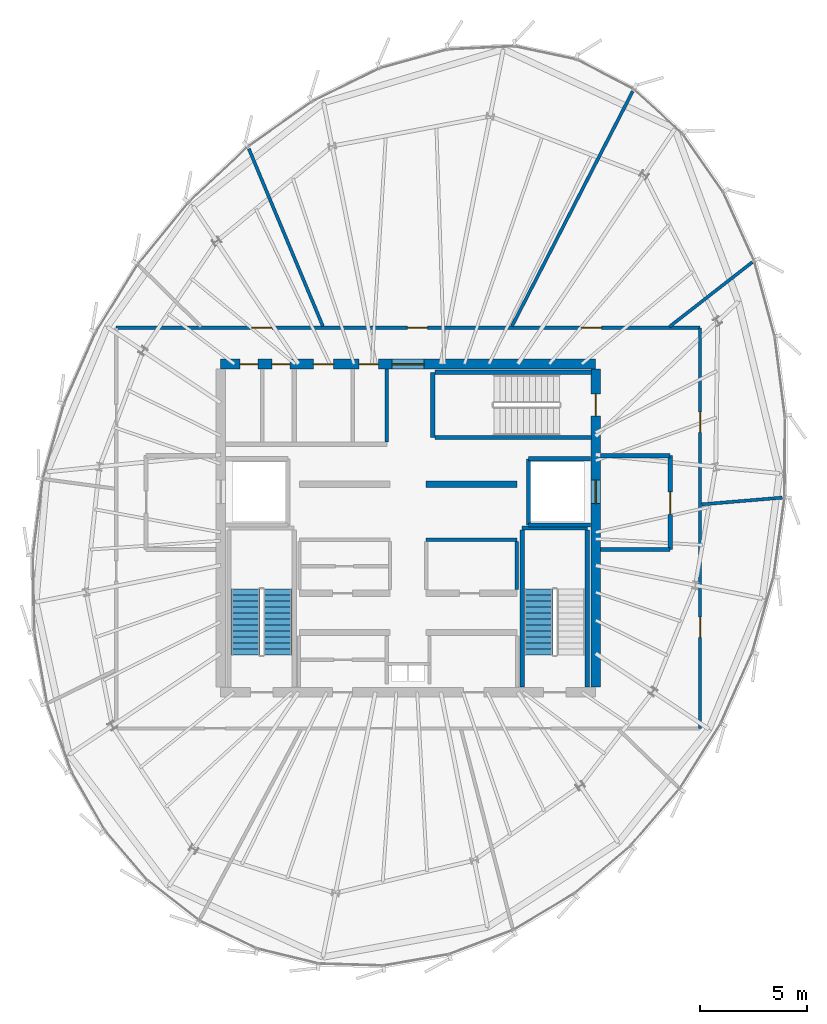
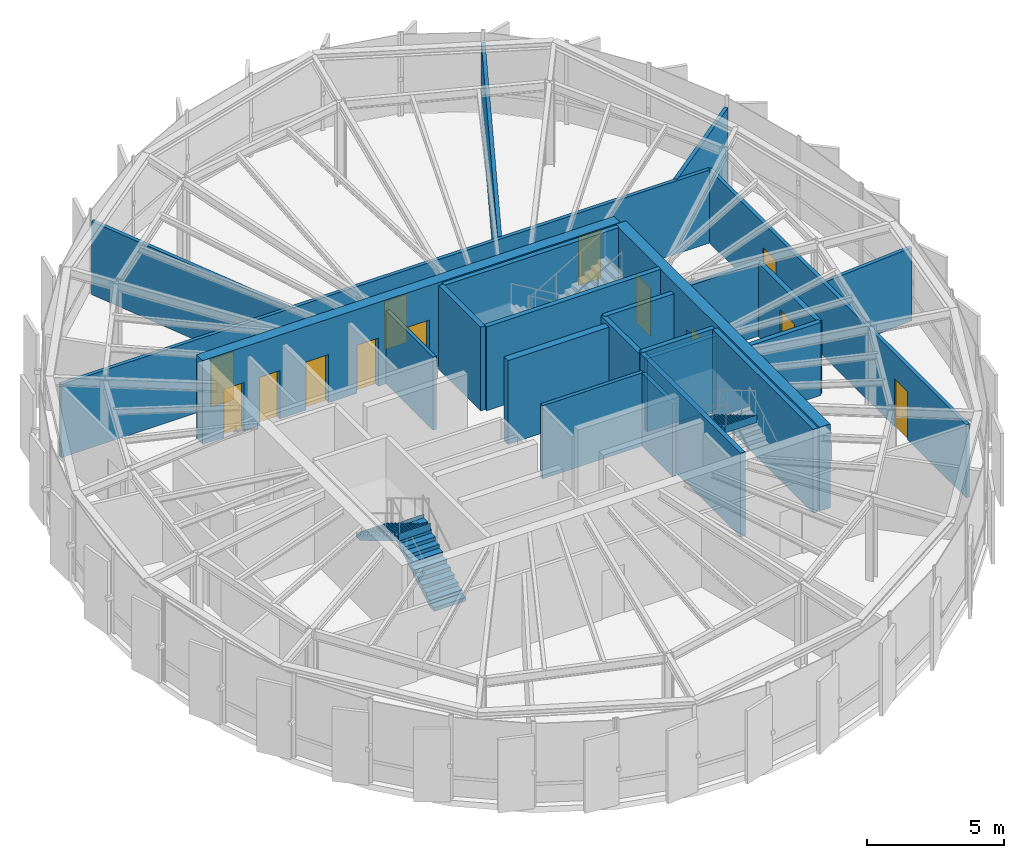
# One storey, part 22 of 26: 24 walls, 13 doors, 3 stair flights, 13 openings, 2 elements without a shape of their own.
"""IFC4 building model written with IfcOpenShell, lengths in metres."""

from ifc_helpers import new_model, si_unit, direction, frame, frame_2d, origin, place, context, subcontext, project, spatial, polyline, rectangle, outline, extrude, source, transform, mapped, material, layer, layer_set, type_object, element, fill, aggregate, save


model = new_model("IFC4")

# Units and contexts
model_context = context("Model", 3, precision=1e-05, world=origin(), true_north=direction((0.0, 1.0)))
body_context = subcontext(model_context, "Body", "Model", "MODEL_VIEW")
ifc_project = project(units=[si_unit("LENGTHUNIT", "METRE"), si_unit("AREAUNIT", "SQUARE_METRE"), si_unit("VOLUMEUNIT", "CUBIC_METRE"), si_unit("PLANEANGLEUNIT", "RADIAN"), si_unit("MASSUNIT", "GRAM", prefix="KILO"), si_unit("THERMODYNAMICTEMPERATUREUNIT", "KELVIN")], contexts=[model_context])

# Site, building, storey
site_placement = place(None, origin())
site = spatial("IfcSite", under=ifc_project, at=site_placement, CompositionType="ELEMENT")
building_placement = place(site_placement, origin())
building = spatial("IfcBuilding", under=site, at=building_placement, Name="Kethvar Cultural Tower", CompositionType="ELEMENT")
storey_placement = place(building_placement, frame((0.0, 0.0, 316.300048828125)))
storey = spatial("IfcBuildingStorey", under=building, at=storey_placement, Name="L84", CompositionType="ELEMENT", Elevation=316.300048828125)

# Wall, openings, doors
ifc_material_1 = material(Name="Concrete C50/60", Category="concrete")
ifc_layer_1 = layer(ifc_material_1, 0.449951171875, Name="Concrete C50/60", Category="concrete")
ifc_layer_set_1 = layer_set([ifc_layer_1], Name="Concrete C50/60 (450 mm)")
wall_type_1 = type_object("IfcWallType", Name="WL-CORE-450", PredefinedType="SHEAR", material=ifc_layer_set_1)
wall_1_placement = place(storey_placement, frame((55.60009765625, 35.5, 0.0), z_axis=(0.0, 0.0, 1.0), x_axis=(-1.0, 0.0, 0.0)))
wall_1 = element("IfcWall", 1, at=wall_1_placement, inside=storey, type_object=wall_type_1, Name="L84 Core Shear Wall N", PredefinedType="SHEAR", context=body_context, shape_type="SweptSolid", body=[
    extrude(rectangle(XDim=17.60009765625, YDim=0.449951171875, at=frame_2d((8.800048828125, 0.0))), origin(), (0.0, 0.0, 1.0), 3.73486328125),
])
opening_1_placement = place(wall_1_placement, frame((8.050048828125, 0.0, 0.0)))
opening_1 = element("IfcOpeningElement", 2, at=opening_1_placement, cuts=wall_1, Name="Opening D-L84-LN", PredefinedType="OPENING", context=body_context, shape_type="SweptSolid", body=[
    extrude(rectangle(XDim=1.5, YDim=2.199951171875, at=frame_2d((0.75, 1.10009765625))), frame((0.0, 0.23486328125, 0.0), z_axis=(0.0, -1.0, 0.0), x_axis=(1.0, 0.0, 0.0)), (0.0, 0.0, 1.0), 0.469970703125),
])
opening_2_placement = place(wall_1_placement, frame((15.85009765625, 0.0, 0.0)))
opening_2 = element("IfcOpeningElement", 3, at=opening_2_placement, cuts=wall_1, Name="Opening D-L84-E1", PredefinedType="OPENING", context=body_context, shape_type="SweptSolid", body=[
    extrude(rectangle(XDim=0.85009765625, YDim=2.14990234375, at=frame_2d((0.425048828125, 1.074951171875))), frame((0.0, 0.23486328125, 0.0), z_axis=(0.0, -1.0, 0.0), x_axis=(1.0, 0.0, 0.0)), (0.0, 0.0, 1.0), 0.469970703125),
])
opening_3_placement = place(wall_1_placement, frame((14.35009765625, 0.0, 0.0)))
opening_3 = element("IfcOpeningElement", 4, at=opening_3_placement, cuts=wall_1, Name="Opening D-L84-E2", PredefinedType="OPENING", context=body_context, shape_type="SweptSolid", body=[
    extrude(rectangle(XDim=0.85009765625, YDim=2.14990234375, at=frame_2d((0.425048828125, 1.074951171875))), frame((0.0, 0.23486328125, 0.0), z_axis=(0.0, -1.0, 0.0), x_axis=(1.0, 0.0, 0.0)), (0.0, 0.0, 1.0), 0.469970703125),
])
opening_4_placement = place(wall_1_placement, frame((12.300048828125, 0.0, 0.0)))
opening_4 = element("IfcOpeningElement", 5, at=opening_4_placement, cuts=wall_1, Name="Opening D-L84-W1", PredefinedType="OPENING", context=body_context, shape_type="SweptSolid", body=[
    extrude(rectangle(XDim=0.949951171875, YDim=2.14990234375, at=frame_2d((0.47509765625, 1.074951171875))), frame((0.0, 0.23486328125, 0.0), z_axis=(0.0, -1.0, 0.0), x_axis=(1.0, 0.0, 0.0)), (0.0, 0.0, 1.0), 0.469970703125),
])
opening_5_placement = place(wall_1_placement, frame((10.199951171875, 0.0, 0.0)))
opening_5 = element("IfcOpeningElement", 6, at=opening_5_placement, cuts=wall_1, Name="Opening D-L84-W2", PredefinedType="OPENING", context=body_context, shape_type="SweptSolid", body=[
    extrude(rectangle(XDim=0.89990234375, YDim=2.14990234375, at=frame_2d((0.449951171875, 1.074951171875))), frame((0.0, 0.23486328125, 0.0), z_axis=(0.0, -1.0, 0.0), x_axis=(1.0, 0.0, 0.0)), (0.0, 0.0, 1.0), 0.469970703125),
])
ifc_material_2 = material(Name="Architectural Oak Timber", Category="wood")
door_type_1 = type_object("IfcDoorType", Name="DR-DBL-FD60-1500", OperationType="DOUBLE_DOOR_SINGLE_SWING", PredefinedType="DOOR", material=ifc_material_2)
shared_shape_1 = source(origin(), body_context, "Body", "SweptSolid", [
    extrude(rectangle(XDim=1.5, YDim=2.199951171875, at=frame_2d((0.75, 1.10009765625))), frame((0.0, 0.02490234375, 0.0), z_axis=(0.0, -1.0, 0.0), x_axis=(1.0, 0.0, 0.0)), (0.0, 0.0, 1.0), 0.050048828125),
])
door_1_placement = place(opening_1_placement, origin())
door_1 = element("IfcDoor", 7, at=door_1_placement, inside=storey, type_object=door_type_1, Name="L84 Lift Lobby Concourse Door", OperationType="DOUBLE_DOOR_SINGLE_SWING", OverallHeight=2.199951171875, OverallWidth=1.5, PredefinedType="DOOR", context=body_context, shape_type="MappedRepresentation", body=[
    mapped(shared_shape_1, transform((0.0, 0.0, 0.0), scale=1.0)),
])
fill(opening_1, door_1)
door_type_2 = type_object("IfcDoorType", Name="DR-FD30-950", OperationType="NOTDEFINED", PredefinedType="DOOR", material=ifc_material_2)
shared_shape_2 = source(origin(), body_context, "Body", "SweptSolid", [
    extrude(rectangle(XDim=0.949951171875, YDim=2.14990234375, at=frame_2d((0.47509765625, 1.074951171875))), frame((0.0, 0.02490234375, 0.0), z_axis=(0.0, -1.0, 0.0), x_axis=(1.0, 0.0, 0.0)), (0.0, 0.0, 1.0), 0.050048828125),
])
door_2_placement = place(opening_4_placement, origin())
door_2 = element("IfcDoor", 8, at=door_2_placement, inside=storey, type_object=door_type_2, Name="L84 Public Washroom Door", OperationType="SINGLE_SWING_LEFT", OverallHeight=2.14990234375, OverallWidth=0.949951171875, PredefinedType="DOOR", context=body_context, shape_type="MappedRepresentation", body=[
    mapped(shared_shape_2, transform((0.0, 0.0, 0.0), scale=1.0)),
])
fill(opening_4, door_2)
door_type_3 = type_object("IfcDoorType", Name="DR-FD30-900", OperationType="NOTDEFINED", PredefinedType="DOOR", material=ifc_material_2)
shared_shape_3 = source(origin(), body_context, "Body", "SweptSolid", [
    extrude(rectangle(XDim=0.89990234375, YDim=2.14990234375, at=frame_2d((0.449951171875, 1.074951171875))), frame((0.0, 0.02490234375, 0.0), z_axis=(0.0, -1.0, 0.0), x_axis=(1.0, 0.0, 0.0)), (0.0, 0.0, 1.0), 0.050048828125),
])
door_3_placement = place(opening_5_placement, origin())
door_3 = element("IfcDoor", 9, at=door_3_placement, inside=storey, type_object=door_type_3, Name="L84 Accessible Washroom Door", OperationType="SINGLE_SWING_RIGHT", OverallHeight=2.14990234375, OverallWidth=0.89990234375, PredefinedType="DOOR", context=body_context, shape_type="MappedRepresentation", body=[
    mapped(shared_shape_3, transform((0.0, 0.0, 0.0), scale=1.0)),
])
fill(opening_5, door_3)
ifc_material_3 = material(Name="Steel S355J2", Category="steel")
door_type_4 = type_object("IfcDoorType", Name="DR-FD30-850", OperationType="NOTDEFINED", PredefinedType="DOOR", material=ifc_material_3)
shared_shape_4 = source(origin(), body_context, "Body", "SweptSolid", [
    extrude(rectangle(XDim=0.85009765625, YDim=2.14990234375, at=frame_2d((0.425048828125, 1.074951171875))), frame((0.0, 0.02490234375, 0.0), z_axis=(0.0, -1.0, 0.0), x_axis=(1.0, 0.0, 0.0)), (0.0, 0.0, 1.0), 0.050048828125),
])
door_4_placement = place(opening_2_placement, origin())
door_4 = element("IfcDoor", 10, at=door_4_placement, inside=storey, type_object=door_type_4, Name="L84 Electrical Riser Door", OperationType="SINGLE_SWING_LEFT", OverallHeight=2.14990234375, OverallWidth=0.85009765625, PredefinedType="DOOR", context=body_context, shape_type="MappedRepresentation", body=[
    mapped(shared_shape_4, transform((0.0, 0.0, 0.0), scale=1.0)),
])
fill(opening_2, door_4)
door_5_placement = place(opening_3_placement, origin())
door_5 = element("IfcDoor", 11, at=door_5_placement, inside=storey, type_object=door_type_4, Name="L84 Chilled Water Riser Door", OperationType="SINGLE_SWING_RIGHT", OverallHeight=2.14990234375, OverallWidth=0.85009765625, PredefinedType="DOOR", context=body_context, shape_type="MappedRepresentation", body=[
    mapped(shared_shape_4, transform((0.0, 0.0, 0.0), scale=1.0)),
])
fill(opening_3, door_5)

wall_2_placement = place(storey_placement, frame((55.60009765625, 20.340087890625, 0.0), z_axis=(0.0, 0.0, 1.0), x_axis=(0.0, 1.0, 0.0)))
wall_2 = element("IfcWall", 12, at=wall_2_placement, inside=storey, type_object=wall_type_1, Name="L84 Core Shear Wall E", PredefinedType="SHEAR", context=body_context, shape_type="SweptSolid", body=[
    extrude(rectangle(XDim=14.919921875, YDim=0.449951171875, at=frame_2d((7.4599609375, 0.0))), origin(), (0.0, 0.0, 1.0), 3.73486328125),
])
opening_6_placement = place(wall_2_placement, frame((12.7099609375, 0.0, 0.0)))
opening_6 = element("IfcOpeningElement", 13, at=opening_6_placement, cuts=wall_2, Name="Opening D-L84-S3", PredefinedType="OPENING", context=body_context, shape_type="SweptSolid", body=[
    extrude(rectangle(XDim=1.050048828125, YDim=2.14990234375, at=frame_2d((0.52490234375, 1.074951171875))), frame((0.0, 0.23486328125, 0.0), z_axis=(0.0, -1.0, 0.0), x_axis=(1.0, 0.0, 0.0)), (0.0, 0.0, 1.0), 0.469970703125),
])
opening_7_placement = place(wall_2_placement, frame((8.610107421875, 0.0, 0.0)))
opening_7 = element("IfcOpeningElement", 14, at=opening_7_placement, cuts=wall_2, Name="Opening LD-2", PredefinedType="OPENING", context=body_context, shape_type="SweptSolid", body=[
    extrude(rectangle(XDim=1.10009765625, YDim=2.199951171875, at=frame_2d((0.550048828125, 1.10009765625))), frame((0.0, 0.23486328125, 0.0), z_axis=(0.0, -1.0, 0.0), x_axis=(1.0, 0.0, 0.0)), (0.0, 0.0, 1.0), 0.469970703125),
])
door_type_5 = type_object("IfcDoorType", Name="DR-FD60-1050", OperationType="NOTDEFINED", PredefinedType="DOOR", material=ifc_material_3)
shared_shape_5 = source(origin(), body_context, "Body", "SweptSolid", [
    extrude(rectangle(XDim=1.050048828125, YDim=2.14990234375, at=frame_2d((0.52490234375, 1.074951171875))), frame((0.0, 0.02490234375, 0.0), z_axis=(0.0, -1.0, 0.0), x_axis=(1.0, 0.0, 0.0)), (0.0, 0.0, 1.0), 0.050048828125),
])
door_6_placement = place(opening_6_placement, origin())
door_6 = element("IfcDoor", 15, at=door_6_placement, inside=storey, type_object=door_type_5, Name="L84 Exit Stair 3 Door", OperationType="SINGLE_SWING_LEFT", OverallHeight=2.14990234375, OverallWidth=1.050048828125, PredefinedType="DOOR", context=body_context, shape_type="MappedRepresentation", body=[
    mapped(shared_shape_5, transform((0.0, 0.0, 0.0), scale=1.0)),
])
fill(opening_6, door_6)
door_type_6 = type_object("IfcDoorType", Name="DR-LIFT-SLIDE-1100", OperationType="NOTDEFINED", PredefinedType="DOOR", material=ifc_material_3)
shared_shape_6 = source(origin(), body_context, "Body", "SweptSolid", [
    extrude(rectangle(XDim=1.10009765625, YDim=2.199951171875, at=frame_2d((0.550048828125, 1.10009765625))), frame((0.0, 0.02490234375, 0.0), z_axis=(0.0, -1.0, 0.0), x_axis=(1.0, 0.0, 0.0)), (0.0, 0.0, 1.0), 0.050048828125),
])
door_7_placement = place(opening_7_placement, origin())
door_7 = element("IfcDoor", 16, at=door_7_placement, inside=storey, type_object=door_type_6, Name="L84 Firefighting Lift Landing Door FFL-02", OperationType="SLIDING_TO_RIGHT", OverallHeight=2.199951171875, OverallWidth=1.10009765625, PredefinedType="DOOR", context=body_context, shape_type="MappedRepresentation", body=[
    mapped(shared_shape_6, transform((0.0, 0.0, 0.0), scale=1.0)),
])
fill(opening_7, door_7)

# Walls
ifc_material_4 = material(Name="Gypsum Fireboard Partition")
ifc_layer_2 = layer(ifc_material_4, 0.14990234375, Name="Gypsum Fireboard Partition")
ifc_layer_set_2 = layer_set([ifc_layer_2], Name="Gypsum Fireboard Partition (150 mm)")
wall_type_2 = type_object("IfcWallType", Name="WL-FIRE-150", PredefinedType="PARTITIONING", material=ifc_layer_set_2)
wall_3_placement = place(storey_placement, frame((47.64990234375, 27.25, 0.0), z_axis=(0.0, 0.0, 1.0), x_axis=(1.0, 0.0, 0.0)))
element("IfcWall", 17, at=wall_3_placement, inside=storey, type_object=wall_type_2, Name="L84 Reclaimed Mid Wall E", PredefinedType="PARTITIONING", context=body_context, shape_type="SweptSolid", body=[
    extrude(rectangle(XDim=4.25, YDim=0.14990234375, at=frame_2d((2.125, 0.0))), origin(), (0.0, 0.0, 1.0), 3.260009765625),
])
wall_4_placement = place(storey_placement, frame((51.89990234375, 24.919921875, 0.0), z_axis=(0.0, 0.0, 1.0), x_axis=(0.0, 1.0, 0.0)))
element("IfcWall", 18, at=wall_4_placement, inside=storey, type_object=wall_type_2, Name="L84 Reclaimed Mid Outer E", PredefinedType="PARTITIONING", context=body_context, shape_type="SweptSolid", body=[
    extrude(rectangle(XDim=2.239990234375, YDim=0.14990234375, at=frame_2d((1.1201171875, 0.0))), origin(), (0.0, 0.0, 1.0), 3.260009765625),
])
wall_5_placement = place(storey_placement, frame((45.800048828125, 31.85009765625, 0.0), z_axis=(0.0, 0.0, 1.0), x_axis=(0.0, 1.0, 0.0)))
element("IfcWall", 19, at=wall_5_placement, inside=storey, type_object=wall_type_2, Name="L84 Sanitary Spine Wall", PredefinedType="PARTITIONING", context=body_context, shape_type="SweptSolid", body=[
    extrude(rectangle(XDim=3.414794921875, YDim=0.14990234375, at=frame_2d((1.70751953125, 0.0))), origin(), (0.0, 0.0, 1.0), 3.260009765625),
])

# Wall, openings, doors
wall_6_placement = place(storey_placement, frame((60.5, 18.39990234375, 0.0), z_axis=(0.0, 0.0, 1.0), x_axis=(0.0, 1.0, 0.0)))
wall_6 = element("IfcWall", 20, at=wall_6_placement, inside=storey, type_object=wall_type_2, Name="L84 Corridor Rated Wall E", PredefinedType="PARTITIONING", context=body_context, shape_type="SweptSolid", body=[
    extrude(rectangle(XDim=18.800048828125, YDim=0.14990234375, at=frame_2d((9.39990234375, 0.0))), origin(), (0.0, 0.0, 1.0), 3.260009765625),
])
opening_8_placement = place(wall_6_placement, frame((4.269287109375, 0.0, 0.0)))
opening_8 = element("IfcOpeningElement", 21, at=opening_8_placement, cuts=wall_6, Name="Opening D-L84-04", PredefinedType="OPENING", context=body_context, shape_type="SweptSolid", body=[
    extrude(rectangle(XDim=0.949951171875, YDim=2.14990234375, at=frame_2d((0.47509765625, 1.074951171875))), frame((0.0, 0.0849609375, 0.0), z_axis=(0.0, -1.0, 0.0), x_axis=(1.0, 0.0, 0.0)), (0.0, 0.0, 1.0), 0.169921875),
])
opening_9_placement = place(wall_6_placement, frame((13.888916015625, 0.0, 0.0)))
opening_9 = element("IfcOpeningElement", 22, at=opening_9_placement, cuts=wall_6, Name="Opening D-L84-05", PredefinedType="OPENING", context=body_context, shape_type="SweptSolid", body=[
    extrude(rectangle(XDim=0.949951171875, YDim=2.14990234375, at=frame_2d((0.47509765625, 1.074951171875))), frame((0.0, 0.0849609375, 0.0), z_axis=(0.0, -1.0, 0.0), x_axis=(1.0, 0.0, 0.0)), (0.0, 0.0, 1.0), 0.169921875),
])
door_8_placement = place(opening_8_placement, origin())
door_8 = element("IfcDoor", 23, at=door_8_placement, inside=storey, type_object=door_type_2, Name="L84 MV Transformer Plant Room 04 Door", OperationType="SINGLE_SWING_RIGHT", OverallHeight=2.14990234375, OverallWidth=0.949951171875, PredefinedType="DOOR", context=body_context, shape_type="MappedRepresentation", body=[
    mapped(shared_shape_2, transform((0.0, 0.0, 0.0), scale=1.0)),
])
fill(opening_8, door_8)
door_9_placement = place(opening_9_placement, origin())
door_9 = element("IfcDoor", 24, at=door_9_placement, inside=storey, type_object=door_type_2, Name="L84 Fire Reserve Tank Plant Room 05 Door", OperationType="SINGLE_SWING_LEFT", OverallHeight=2.14990234375, OverallWidth=0.949951171875, PredefinedType="DOOR", context=body_context, shape_type="MappedRepresentation", body=[
    mapped(shared_shape_2, transform((0.0, 0.0, 0.0), scale=1.0)),
])
fill(opening_9, door_9)

wall_7_placement = place(storey_placement, frame((60.5, 37.199951171875, 0.0), z_axis=(0.0, 0.0, 1.0), x_axis=(-1.0, 0.0, 0.0)))
wall_7 = element("IfcWall", 25, at=wall_7_placement, inside=storey, type_object=wall_type_2, Name="L84 Corridor Rated Wall N", PredefinedType="PARTITIONING", context=body_context, shape_type="SweptSolid", body=[
    extrude(rectangle(XDim=27.39990234375, YDim=0.14990234375, at=frame_2d((13.699951171875, 0.0))), origin(), (0.0, 0.0, 1.0), 3.260009765625),
])
opening_10_placement = place(wall_7_placement, frame((4.619384765625, 0.0, 0.0)))
opening_10 = element("IfcOpeningElement", 26, at=opening_10_placement, cuts=wall_7, Name="Opening D-L84-06", PredefinedType="OPENING", context=body_context, shape_type="SweptSolid", body=[
    extrude(rectangle(XDim=0.949951171875, YDim=2.14990234375, at=frame_2d((0.47509765625, 1.074951171875))), frame((0.0, 0.0849609375, 0.0), z_axis=(0.0, -1.0, 0.0), x_axis=(1.0, 0.0, 0.0)), (0.0, 0.0, 1.0), 0.169921875),
])
opening_11_placement = place(wall_7_placement, frame((12.78857421875, 0.0, 0.0)))
opening_11 = element("IfcOpeningElement", 27, at=opening_11_placement, cuts=wall_7, Name="Opening D-L84-07", PredefinedType="OPENING", context=body_context, shape_type="SweptSolid", body=[
    extrude(rectangle(XDim=0.949951171875, YDim=2.14990234375, at=frame_2d((0.47509765625, 1.074951171875))), frame((0.0, 0.0849609375, 0.0), z_axis=(0.0, -1.0, 0.0), x_axis=(1.0, 0.0, 0.0)), (0.0, 0.0, 1.0), 0.169921875),
])
opening_12_placement = place(wall_7_placement, frame((20.1005859375, 0.0, 0.0)))
opening_12 = element("IfcOpeningElement", 28, at=opening_12_placement, cuts=wall_7, Name="Opening D-L84-08", PredefinedType="OPENING", context=body_context, shape_type="SweptSolid", body=[
    extrude(rectangle(XDim=0.949951171875, YDim=2.14990234375, at=frame_2d((0.47509765625, 1.074951171875))), frame((0.0, 0.0849609375, 0.0), z_axis=(0.0, -1.0, 0.0), x_axis=(1.0, 0.0, 0.0)), (0.0, 0.0, 1.0), 0.169921875),
])
door_10_placement = place(opening_10_placement, origin())
door_10 = element("IfcDoor", 29, at=door_10_placement, inside=storey, type_object=door_type_2, Name="L84 Facade BMU Mechanical Plant Room 06 Door", OperationType="SINGLE_SWING_RIGHT", OverallHeight=2.14990234375, OverallWidth=0.949951171875, PredefinedType="DOOR", context=body_context, shape_type="MappedRepresentation", body=[
    mapped(shared_shape_2, transform((0.0, 0.0, 0.0), scale=1.0)),
])
fill(opening_10, door_10)
door_11_placement = place(opening_11_placement, origin())
door_11 = element("IfcDoor", 30, at=door_11_placement, inside=storey, type_object=door_type_2, Name="L84 Cooling Tower Pump Plant Room 07 Door", OperationType="SINGLE_SWING_LEFT", OverallHeight=2.14990234375, OverallWidth=0.949951171875, PredefinedType="DOOR", context=body_context, shape_type="MappedRepresentation", body=[
    mapped(shared_shape_2, transform((0.0, 0.0, 0.0), scale=1.0)),
])
fill(opening_11, door_11)
door_12_placement = place(opening_12_placement, origin())
door_12 = element("IfcDoor", 31, at=door_12_placement, inside=storey, type_object=door_type_2, Name="L84 Emergency UPS Plant Room 08 Door", OperationType="SINGLE_SWING_RIGHT", OverallHeight=2.14990234375, OverallWidth=0.949951171875, PredefinedType="DOOR", context=body_context, shape_type="MappedRepresentation", body=[
    mapped(shared_shape_2, transform((0.0, 0.0, 0.0), scale=1.0)),
])
fill(opening_12, door_12)

# Walls
wall_8_placement = place(storey_placement, frame((60.57958984375, 28.914306640625, 0.0), z_axis=(0.0, 0.0, 1.0), x_axis=(0.996539539042, 0.083120076554, 0.0)))
element("IfcWall", 32, at=wall_8_placement, inside=storey, type_object=wall_type_2, Name="L84 Radial Partition Wall 05", PredefinedType="PARTITIONING", context=body_context, shape_type="SweptSolid", body=[
    extrude(rectangle(XDim=3.7919921875, YDim=0.14990234375, at=frame_2d((1.89599609375, 0.0))), origin(), (0.0, 0.0, 1.0), 3.260009765625),
])
wall_9_placement = place(storey_placement, frame((59.06201171875, 37.249267578125, 0.0), z_axis=(0.0, 0.0, 1.0), x_axis=(0.788810886237, 0.614635978245, 0.0)))
element("IfcWall", 33, at=wall_9_placement, inside=storey, type_object=wall_type_2, Name="L84 Radial Partition Wall 06", PredefinedType="PARTITIONING", context=body_context, shape_type="SweptSolid", body=[
    extrude(rectangle(XDim=4.9326171875, YDim=0.14990234375, at=frame_2d((2.46630859375, 0.0))), origin(), (0.0, 0.0, 1.0), 3.260009765625),
])
wall_10_placement = place(storey_placement, frame((51.669921875, 37.27099609375, 0.0), z_axis=(0.0, 0.0, 1.0), x_axis=(0.457212742862, 0.889357356615, 0.0)))
element("IfcWall", 34, at=wall_10_placement, inside=storey, type_object=wall_type_2, Name="L84 Radial Partition Wall 07", PredefinedType="PARTITIONING", context=body_context, shape_type="SweptSolid", body=[
    extrude(rectangle(XDim=12.39794921875, YDim=0.14990234375, at=frame_2d((6.198974609375, 0.0))), origin(), (0.0, 0.0, 1.0), 3.260009765625),
])
wall_11_placement = place(storey_placement, frame((42.798095703125, 37.273681640625, 0.0), z_axis=(0.0, 0.0, 1.0), x_axis=(-0.385020636299, 0.922907963788, 0.0)))
element("IfcWall", 35, at=wall_11_placement, inside=storey, type_object=wall_type_2, Name="L84 Radial Partition Wall 08", PredefinedType="PARTITIONING", context=body_context, shape_type="SweptSolid", body=[
    extrude(rectangle(XDim=9.025146484375, YDim=0.14990234375, at=frame_2d((4.5126953125, 0.0))), origin(), (0.0, 0.0, 1.0), 3.260009765625),
])
ifc_material_5 = material(Name="Concrete C40/50", Category="concrete")
ifc_layer_3 = layer(ifc_material_5, 0.199951171875, Name="Concrete C40/50", Category="concrete")
ifc_layer_set_3 = layer_set([ifc_layer_3], Name="Concrete C40/50 (200 mm)")
wall_type_3 = type_object("IfcWallType", Name="WL-FIRE-200", PredefinedType="PARTITIONING", material=ifc_layer_set_3)
wall_12_placement = place(storey_placement, frame((52.449951171875, 27.949951171875, 0.0), z_axis=(0.0, 0.0, 1.0), x_axis=(0.0, 1.0, 0.0)))
element("IfcWall", 36, at=wall_12_placement, inside=storey, type_object=wall_type_3, Name="L84 FFL-02 Shaft Inner Wall", PredefinedType="PARTITIONING", context=body_context, shape_type="SweptSolid", body=[
    extrude(rectangle(XDim=3.10009765625, YDim=0.199951171875, at=frame_2d((1.550048828125, 0.0))), origin(), (0.0, 0.0, 1.0), 3.260009765625),
])
for number, where, z_axis, x_axis, name in (
    (37, (52.449951171875, 27.949951171875, 0.0), (0.0, 0.0, 1.0), (1.0, 0.0, 0.0), "L84 FFL-02 Shaft South Wall"),
    (38, (52.449951171875, 31.050048828125, 0.0), (0.0, 0.0, 1.0), (1.0, 0.0, 0.0), "L84 FFL-02 Shaft North Wall"),
):
    element("IfcWall", number, at=place(storey_placement, frame(where, z_axis=z_axis, x_axis=x_axis)), inside=storey, type_object=wall_type_3, Name=name, PredefinedType="PARTITIONING", context=body_context, shape_type="SweptSolid", body=[
        extrude(rectangle(XDim=2.9150390625, YDim=0.199951171875, at=frame_2d((1.45751953125, 0.0))), origin(), (0.0, 0.0, 1.0), 3.260009765625),
    ])

# Wall, opening, door
wall_13_placement = place(storey_placement, frame((59.10009765625, 26.800048828125, 0.0), z_axis=(0.0, 0.0, 1.0), x_axis=(0.0, 1.0, 0.0)))
wall_13 = element("IfcWall", 39, at=wall_13_placement, inside=storey, type_object=wall_type_3, Name="L84 Firefighting Lobby 2 Wall", PredefinedType="PARTITIONING", context=body_context, shape_type="SweptSolid", body=[
    extrude(rectangle(XDim=4.39990234375, YDim=0.199951171875, at=frame_2d((2.199951171875, 0.0))), origin(), (0.0, 0.0, 1.0), 3.260009765625),
])
opening_13_placement = place(wall_13_placement, frame((1.64990234375, 0.0, 0.0)))
opening_13 = element("IfcOpeningElement", 40, at=opening_13_placement, cuts=wall_13, Name="Opening D-L84-F2", PredefinedType="OPENING", context=body_context, shape_type="SweptSolid", body=[
    extrude(rectangle(XDim=1.050048828125, YDim=2.14990234375, at=frame_2d((0.52490234375, 1.074951171875))), frame((0.0, 0.10986328125, 0.0), z_axis=(0.0, -1.0, 0.0), x_axis=(1.0, 0.0, 0.0)), (0.0, 0.0, 1.0), 0.219970703125),
])
door_13_placement = place(opening_13_placement, origin())
door_13 = element("IfcDoor", 41, at=door_13_placement, inside=storey, type_object=door_type_5, Name="L84 Firefighting Lobby 2 Fire Door", OperationType="SINGLE_SWING_LEFT", OverallHeight=2.14990234375, OverallWidth=1.050048828125, PredefinedType="DOOR", context=body_context, shape_type="MappedRepresentation", body=[
    mapped(shared_shape_5, transform((0.0, 0.0, 0.0), scale=1.0)),
])
fill(opening_13, door_13)

# Walls
for number, where, z_axis, x_axis, name in (
    (42, (55.8349609375, 26.800048828125, 0.0), (0.0, 0.0, 1.0), (1.0, 0.0, 0.0), "L84 FF Lobby 2 South Wall"),
    (43, (55.8349609375, 31.199951171875, 0.0), (0.0, 0.0, 1.0), (1.0, 0.0, 0.0), "L84 FF Lobby 2 North Wall"),
):
    element("IfcWall", number, at=place(storey_placement, frame(where, z_axis=z_axis, x_axis=x_axis)), inside=storey, type_object=wall_type_3, Name=name, PredefinedType="PARTITIONING", context=body_context, shape_type="SweptSolid", body=[
        extrude(rectangle(XDim=3.26513671875, YDim=0.199951171875, at=frame_2d((1.632568359375, 0.0))), origin(), (0.0, 0.0, 1.0), 3.260009765625),
    ])
ifc_layer_4 = layer(ifc_material_1, 0.300048828125, Name="Concrete C50/60", Category="concrete")
ifc_layer_set_4 = layer_set([ifc_layer_4], Name="Concrete C50/60 (300 mm)")
wall_type_4 = type_object("IfcWallType", Name="WL-SHAFT-300", PredefinedType="SHEAR", material=ifc_layer_set_4)
wall_14_placement = place(storey_placement, frame((47.64990234375, 29.85009765625, 0.0), z_axis=(0.0, 0.0, 1.0), x_axis=(1.0, 0.0, 0.0)))
element("IfcWall", 44, at=wall_14_placement, inside=storey, type_object=wall_type_4, Name="L84 Core Lift Spine Wall MID3E", PredefinedType="SHEAR", context=body_context, shape_type="SweptSolid", body=[
    extrude(rectangle(XDim=4.25, YDim=0.300048828125, at=frame_2d((2.125, 0.0))), origin(), (0.0, 0.0, 1.0), 3.73486328125),
])
ifc_layer_5 = layer(ifc_material_1, 0.199951171875, Name="Concrete C50/60", Category="concrete")
ifc_layer_set_5 = layer_set([ifc_layer_5], Name="Concrete C50/60 (200 mm)")
wall_type_5 = type_object("IfcWallType", Name="WL-STSHAFT-200", PredefinedType="SHEAR", material=ifc_layer_set_5)
wall_15_placement = place(storey_placement, frame((52.14990234375, 27.800048828125, 0.0), z_axis=(0.0, 0.0, 1.0), x_axis=(1.0, 0.0, 0.0)))
element("IfcWall", 45, at=wall_15_placement, inside=storey, type_object=wall_type_5, Name="L84 ST-02 Stair Shaft Wall FAR", PredefinedType="SHEAR", context=body_context, shape_type="SweptSolid", body=[
    extrude(rectangle(XDim=3.06005859375, YDim=0.199951171875, at=frame_2d((1.530029296875, 0.0))), origin(), (0.0, 0.0, 1.0), 3.73486328125),
])
for number, where, z_axis, x_axis, name in (
    (46, (55.2099609375, 27.699951171875, 0.0), (0.0, 0.0, 1.0), (0.0, -1.0, 0.0), "L84 ST-02 Stair Shaft Wall LEFT"),
    (47, (52.14990234375, 20.35009765625, 0.0), (0.0, 0.0, 1.0), (0.0, 1.0, 0.0), "L84 ST-02 Stair Shaft Wall RIGHT"),
):
    element("IfcWall", number, at=place(storey_placement, frame(where, z_axis=z_axis, x_axis=x_axis)), inside=storey, type_object=wall_type_5, Name=name, PredefinedType="SHEAR", context=body_context, shape_type="SweptSolid", body=[
        extrude(rectangle(XDim=7.349853515625, YDim=0.199951171875, at=frame_2d((3.6748046875, 0.0))), origin(), (0.0, 0.0, 1.0), 3.73486328125),
    ])
wall_16_placement = place(storey_placement, frame((47.949951171875, 32.050048828125, 0.0), z_axis=(0.0, 0.0, 1.0), x_axis=(0.0, 1.0, 0.0)))
element("IfcWall", 48, at=wall_16_placement, inside=storey, type_object=wall_type_5, Name="L84 ST-03 Stair Shaft Wall FAR", PredefinedType="SHEAR", context=body_context, shape_type="SweptSolid", body=[
    extrude(rectangle(XDim=3.06005859375, YDim=0.199951171875, at=frame_2d((1.530029296875, 0.0))), origin(), (0.0, 0.0, 1.0), 3.73486328125),
])
for number, where, z_axis, x_axis, name in (
    (49, (48.050048828125, 35.110107421875, 0.0), (0.0, 0.0, 1.0), (1.0, 0.0, 0.0), "L84 ST-03 Stair Shaft Wall LEFT"),
    (50, (55.39990234375, 32.050048828125, 0.0), (0.0, 0.0, 1.0), (-1.0, 0.0, 0.0), "L84 ST-03 Stair Shaft Wall RIGHT"),
):
    element("IfcWall", number, at=place(storey_placement, frame(where, z_axis=z_axis, x_axis=x_axis)), inside=storey, type_object=wall_type_5, Name=name, PredefinedType="SHEAR", context=body_context, shape_type="SweptSolid", body=[
        extrude(rectangle(XDim=7.349853515625, YDim=0.199951171875, at=frame_2d((3.6748046875, 0.0))), origin(), (0.0, 0.0, 1.0), 3.73486328125),
    ])

# Stair, stair flights
stair_type = type_object("IfcStairType", Name="ST-DOGLEG-135", PredefinedType="HALF_TURN_STAIR", material=ifc_material_5)
stair_1_placement = place(storey_placement, origin())
stair_1 = element("IfcStair", 51, at=stair_1_placement, inside=storey, type_object=stair_type, Name="L84 Core Exit Stair 1", PredefinedType="HALF_TURN_STAIR")
stair_flight_type = type_object("IfcStairFlightType", Name="FL-STRAIGHT-135", PredefinedType="STRAIGHT", material=ifc_material_5)
stair_flight_1_placement = place(storey_placement, frame((40.675048828125, 21.85009765625, 0.0), z_axis=(0.0, 0.0, 1.0), x_axis=(0.0, 1.0, 0.0)))
stair_flight_1 = element("IfcStairFlight", 52, at=stair_flight_1_placement, type_object=stair_flight_type, Name="ST-01 flight 1", NumberOfRisers=12, NumberOfTreads=11, PredefinedType="STRAIGHT", RiserHeight=0.166666667, TreadLength=0.28, context=body_context, shape_type="SweptSolid", body=[
    extrude(outline(polyline([(-0.0009765625, -0.0009765625), (-0.0009765625, 0.166748046875), (0.280029296875, 0.166748046875), (0.280029296875, 0.333251953125), (0.56005859375, 0.333251953125), (0.56005859375, 0.5), (0.840087890625, 0.5), (0.840087890625, 0.666748046875), (1.1201171875, 0.666748046875), (1.1201171875, 0.833251953125), (1.39990234375, 0.833251953125), (1.39990234375, 1.0), (1.679931640625, 1.0), (1.679931640625, 1.166748046875), (1.9599609375, 1.166748046875), (1.9599609375, 1.333251953125), (2.239990234375, 1.333251953125), (2.239990234375, 1.5), (2.52001953125, 1.5), (2.52001953125, 1.666748046875), (2.800048828125, 1.666748046875), (2.800048828125, 1.833251953125), (3.080078125, 1.833251953125), (3.080078125, 2.0), (3.0810546875, 2.0), (3.0810546875, 1.658935546875), (0.29296875, 0.0), (0.0, -0.0009765625), (-0.0009765625, -0.0009765625)])), frame((0.0, 0.675048828125, 0.0), z_axis=(0.0, -1.0, 0.0), x_axis=(1.0, 0.0, 0.0)), (0.0, 0.0, 1.0), 1.35009765625),
])
stair_flight_2_placement = place(storey_placement, frame((39.1650390625, 24.929931640625, 2.0), z_axis=(0.0, 0.0, 1.0), x_axis=(0.0, -1.0, 0.0)))
stair_flight_2 = element("IfcStairFlight", 53, at=stair_flight_2_placement, type_object=stair_flight_type, Name="ST-01 flight 2", NumberOfRisers=12, NumberOfTreads=11, PredefinedType="STRAIGHT", RiserHeight=0.166666667, TreadLength=0.28, context=body_context, shape_type="SweptSolid", body=[
    extrude(outline(polyline([(-0.0009765625, -0.0009765625), (-0.0009765625, 0.166748046875), (0.280029296875, 0.166748046875), (0.280029296875, 0.333251953125), (0.56005859375, 0.333251953125), (0.56005859375, 0.5), (0.840087890625, 0.5), (0.840087890625, 0.666748046875), (1.1201171875, 0.666748046875), (1.1201171875, 0.833251953125), (1.39990234375, 0.833251953125), (1.39990234375, 1.0), (1.679931640625, 1.0), (1.679931640625, 1.166748046875), (1.9599609375, 1.166748046875), (1.9599609375, 1.333251953125), (2.239990234375, 1.333251953125), (2.239990234375, 1.5), (2.52001953125, 1.5), (2.52001953125, 1.666748046875), (2.800048828125, 1.666748046875), (2.800048828125, 1.833251953125), (3.080078125, 1.833251953125), (3.080078125, 2.0), (3.0810546875, 2.0), (3.0810546875, 1.658935546875), (0.29296875, 0.0), (0.0, -0.0009765625), (-0.0009765625, -0.0009765625)])), frame((0.0, 0.675048828125, 0.0), z_axis=(0.0, -1.0, 0.0), x_axis=(1.0, 0.0, 0.0)), (0.0, 0.0, 1.0), 1.35009765625),
])
aggregate(stair_1, [stair_flight_1, stair_flight_2])

# Stair, stair flight
stair_2_placement = place(storey_placement, origin())
stair_2 = element("IfcStair", 54, at=stair_2_placement, inside=storey, type_object=stair_type, Name="L84 Core Exit Stair 2", PredefinedType="HALF_TURN_STAIR")
stair_flight_3_placement = place(storey_placement, frame((52.925048828125, 24.929931640625, 2.0), z_axis=(0.0, 0.0, 1.0), x_axis=(0.0, -1.0, 0.0)))
stair_flight_3 = element("IfcStairFlight", 55, at=stair_flight_3_placement, type_object=stair_flight_type, Name="ST-02 flight 2", NumberOfRisers=12, NumberOfTreads=11, PredefinedType="STRAIGHT", RiserHeight=0.166666667, TreadLength=0.28, context=body_context, shape_type="SweptSolid", body=[
    extrude(outline(polyline([(-0.0009765625, -0.0009765625), (-0.0009765625, 0.166748046875), (0.280029296875, 0.166748046875), (0.280029296875, 0.333251953125), (0.56005859375, 0.333251953125), (0.56005859375, 0.5), (0.840087890625, 0.5), (0.840087890625, 0.666748046875), (1.1201171875, 0.666748046875), (1.1201171875, 0.833251953125), (1.39990234375, 0.833251953125), (1.39990234375, 1.0), (1.679931640625, 1.0), (1.679931640625, 1.166748046875), (1.9599609375, 1.166748046875), (1.9599609375, 1.333251953125), (2.239990234375, 1.333251953125), (2.239990234375, 1.5), (2.52001953125, 1.5), (2.52001953125, 1.666748046875), (2.800048828125, 1.666748046875), (2.800048828125, 1.833251953125), (3.080078125, 1.833251953125), (3.080078125, 2.0), (3.0810546875, 2.0), (3.0810546875, 1.658935546875), (0.29296875, 0.0), (0.0, -0.0009765625), (-0.0009765625, -0.0009765625)])), frame((0.0, 0.675048828125, 0.0), z_axis=(0.0, -1.0, 0.0), x_axis=(1.0, 0.0, 0.0)), (0.0, 0.0, 1.0), 1.35009765625),
])
aggregate(stair_2, [stair_flight_3])

save(model, "model.ifc")
